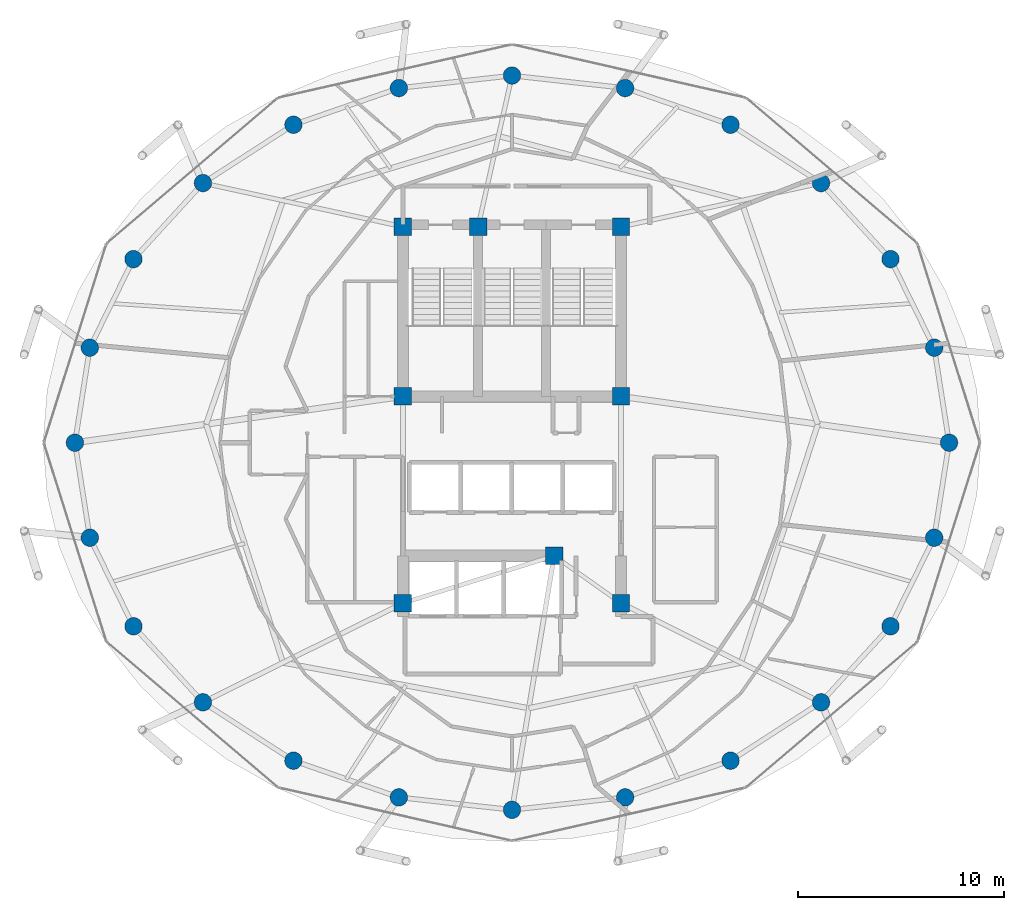
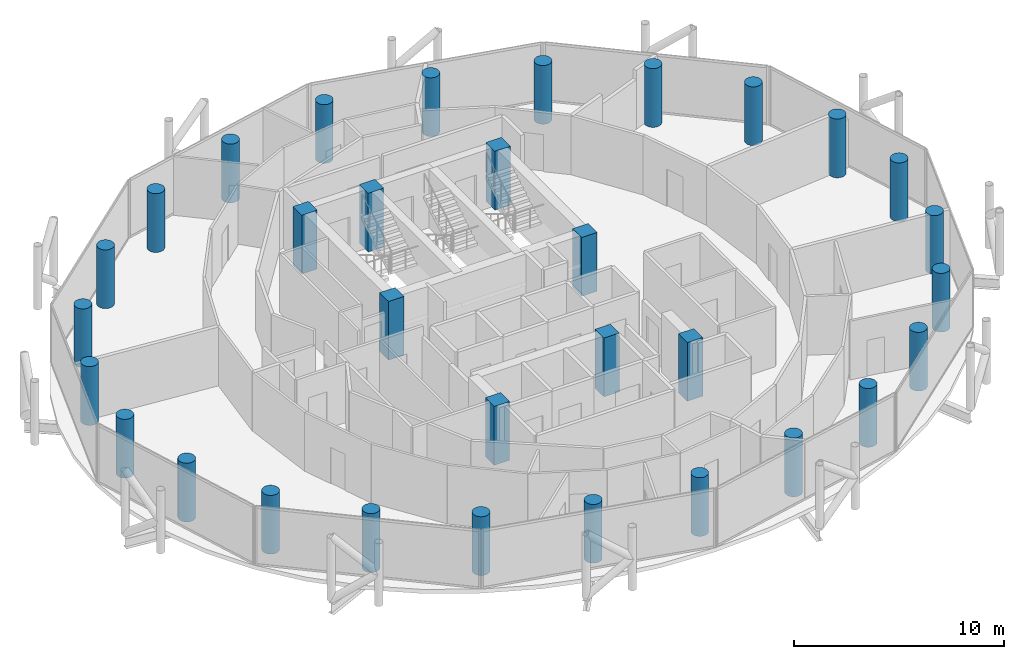
# One storey, part 1 of 27: 32 columns.
"""IFC4 building model written with IfcOpenShell, lengths in metres."""

from ifc_helpers import new_model, si_unit, direction, frame, origin, origin_2d, place, context, subcontext, project, spatial, rectangle, circle, extrude, material, material_profile, profile_set, type_object, element, save


model = new_model("IFC4")

# Units and contexts
model_context = context("Model", 3, precision=1e-05, world=origin(), true_north=direction((0.0, 1.0)))
body_context = subcontext(model_context, "Body", "Model", "MODEL_VIEW")
ifc_project = project(units=[si_unit("LENGTHUNIT", "METRE"), si_unit("AREAUNIT", "SQUARE_METRE"), si_unit("VOLUMEUNIT", "CUBIC_METRE"), si_unit("PLANEANGLEUNIT", "RADIAN"), si_unit("MASSUNIT", "GRAM", prefix="KILO")], contexts=[model_context])

# Site, building, storey
site_placement = place(None, origin())
site = spatial("IfcSite", under=ifc_project, at=site_placement, CompositionType="ELEMENT")
building_placement = place(site_placement, origin())
building = spatial("IfcBuilding", under=site, at=building_placement, Name="Nuhasar Tower", CompositionType="ELEMENT")
storey_placement = place(building_placement, frame((0.0, 0.0, 244.64990234375)))
storey = spatial("IfcBuildingStorey", under=building, at=storey_placement, Name="L60", CompositionType="ELEMENT", Elevation=244.64990234375)

# Columns
ifc_material = material(Name="Concrete C55/67", Category="concrete")
ifc_material_profile_1 = material_profile(ifc_material, circle(Radius=0.425048828125, at=origin_2d()), Name="CFT850")
ifc_profile_set_1 = profile_set([ifc_material_profile_1], Name="Concrete C55/67")
column_type_1 = type_object("IfcColumnType", Name="COL-CFT-850", PredefinedType="COLUMN", material=ifc_profile_set_1)
for number, where, z_axis, x_axis, name in (
    (1, (60.25, 26.800048828125, 0.0), (0.0, 0.0, 1.0), (1.0, 0.0, 0.0), "L60 Perimeter Composite Column TC-01"),
    (2, (59.52587890625, 31.419921875, 0.0), (0.0, 0.0, 1.0), (1.0, 0.0, 0.0), "L60 Perimeter Composite Column TC-02"),
    (3, (57.403076171875, 35.72509765625, 0.0), (0.0, 0.0, 1.0), (1.0, 0.0, 0.0), "L60 Perimeter Composite Column TC-03"),
    (4, (54.02587890625, 39.422119140625, 0.0), (0.0, 0.0, 1.0), (1.0, 0.0, 0.0), "L60 Perimeter Composite Column TC-04"),
    (5, (49.625, 42.259033203125, 0.0), (0.0, 0.0, 1.0), (1.0, 0.0, 0.0), "L60 Perimeter Composite Column TC-05"),
    (6, (44.5, 44.0419921875, 0.0), (0.0, 0.0, 1.0), (1.0, 0.0, 0.0), "L60 Perimeter Composite Column TC-06"),
    (7, (39.0, 44.64990234375, 0.0), (0.0, 0.0, 1.0), (1.0, 0.0, 0.0), "L60 Perimeter Composite Column TC-07"),
    (8, (33.5, 44.0419921875, 0.0), (0.0, 0.0, 1.0), (1.0, 0.0, 0.0), "L60 Perimeter Composite Column TC-08"),
    (9, (28.375, 42.259033203125, 0.0), (0.0, 0.0, 1.0), (1.0, 0.0, 0.0), "L60 Perimeter Composite Column TC-09"),
    (10, (23.97412109375, 39.422119140625, 0.0), (0.0, 0.0, 1.0), (1.0, 0.0, 0.0), "L60 Perimeter Composite Column TC-10"),
    (11, (20.596923828125, 35.72509765625, 0.0), (0.0, 0.0, 1.0), (1.0, 0.0, 0.0), "L60 Perimeter Composite Column TC-11"),
    (12, (18.47412109375, 31.419921875, 0.0), (0.0, 0.0, 1.0), (1.0, 0.0, 0.0), "L60 Perimeter Composite Column TC-12"),
    (13, (17.75, 26.800048828125, 0.0), (0.0, 0.0, 1.0), (1.0, 0.0, 0.0), "L60 Perimeter Composite Column TC-13"),
    (14, (18.47412109375, 22.179931640625, 0.0), (0.0, 0.0, 1.0), (1.0, 0.0, 0.0), "L60 Perimeter Composite Column TC-14"),
    (15, (20.596923828125, 17.875, 0.0), (0.0, 0.0, 1.0), (1.0, 0.0, 0.0), "L60 Perimeter Composite Column TC-15"),
    (16, (23.97412109375, 14.177978515625, 0.0), (0.0, 0.0, 1.0), (1.0, 0.0, 0.0), "L60 Perimeter Composite Column TC-16"),
    (17, (28.375, 11.341064453125, 0.0), (0.0, 0.0, 1.0), (1.0, 0.0, 0.0), "L60 Perimeter Composite Column TC-17"),
    (18, (33.5, 9.55810546875, 0.0), (0.0, 0.0, 1.0), (1.0, 0.0, 0.0), "L60 Perimeter Composite Column TC-18"),
    (19, (39.0, 8.949951171875, 0.0), (0.0, 0.0, 1.0), (1.0, 0.0, 0.0), "L60 Perimeter Composite Column TC-19"),
    (20, (44.5, 9.55810546875, 0.0), (0.0, 0.0, 1.0), (1.0, 0.0, 0.0), "L60 Perimeter Composite Column TC-20"),
    (21, (49.625, 11.341064453125, 0.0), (0.0, 0.0, 1.0), (1.0, 0.0, 0.0), "L60 Perimeter Composite Column TC-21"),
    (22, (54.02587890625, 14.177978515625, 0.0), (0.0, 0.0, 1.0), (1.0, 0.0, 0.0), "L60 Perimeter Composite Column TC-22"),
    (23, (57.403076171875, 17.875, 0.0), (0.0, 0.0, 1.0), (1.0, 0.0, 0.0), "L60 Perimeter Composite Column TC-23"),
    (24, (59.52587890625, 22.179931640625, 0.0), (0.0, 0.0, 1.0), (1.0, 0.0, 0.0), "L60 Perimeter Composite Column TC-24"),
):
    element("IfcColumn", number, at=place(storey_placement, frame(where, z_axis=z_axis, x_axis=x_axis)), inside=storey, type_object=column_type_1, Name=name, PredefinedType="COLUMN", context=body_context, shape_type="SweptSolid", body=[
        extrude(circle(Radius=0.425048828125, at=origin_2d()), origin(), (0.0, 0.0, 1.0), 3.41015625),
    ])
ifc_material_profile_2 = material_profile(ifc_material, rectangle(XDim=0.85009765625, YDim=0.85009765625, at=origin_2d()), Name="RC850X850")
ifc_profile_set_2 = profile_set([ifc_material_profile_2], Name="Concrete C55/67")
column_type_2 = type_object("IfcColumnType", Name="PIL-RC-850", PredefinedType="PILASTER", material=ifc_profile_set_2)
for number, where, z_axis, x_axis, name in (
    (25, (33.699951171875, 19.0, 0.0), (0.0, 0.0, 1.0), (1.0, 0.0, 0.0), "L60 Core Boundary Pilaster CC-01"),
    (26, (41.050048828125, 21.300048828125, 0.0), (0.0, 0.0, 1.0), (1.0, 0.0, 0.0), "L60 Core Boundary Pilaster CC-02"),
    (27, (44.300048828125, 19.0, 0.0), (0.0, 0.0, 1.0), (1.0, 0.0, 0.0), "L60 Core Boundary Pilaster CC-03"),
    (28, (44.300048828125, 29.050048828125, 0.0), (0.0, 0.0, 1.0), (1.0, 0.0, 0.0), "L60 Core Boundary Pilaster CC-04"),
    (29, (44.300048828125, 37.300048828125, 0.0), (0.0, 0.0, 1.0), (1.0, 0.0, 0.0), "L60 Core Boundary Pilaster CC-05"),
    (30, (37.35009765625, 37.300048828125, 0.0), (0.0, 0.0, 1.0), (1.0, 0.0, 0.0), "L60 Core Boundary Pilaster CC-06"),
    (31, (33.699951171875, 37.300048828125, 0.0), (0.0, 0.0, 1.0), (1.0, 0.0, 0.0), "L60 Core Boundary Pilaster CC-07"),
    (32, (33.699951171875, 29.050048828125, 0.0), (0.0, 0.0, 1.0), (1.0, 0.0, 0.0), "L60 Core Boundary Pilaster CC-08"),
):
    element("IfcColumn", number, at=place(storey_placement, frame(where, z_axis=z_axis, x_axis=x_axis)), inside=storey, type_object=column_type_2, Name=name, PredefinedType="PILASTER", context=body_context, shape_type="SweptSolid", body=[
        extrude(rectangle(XDim=0.85009765625, YDim=0.85009765625, at=origin_2d()), origin(), (0.0, 0.0, 1.0), 3.41015625),
    ])

save(model, "model.ifc")
